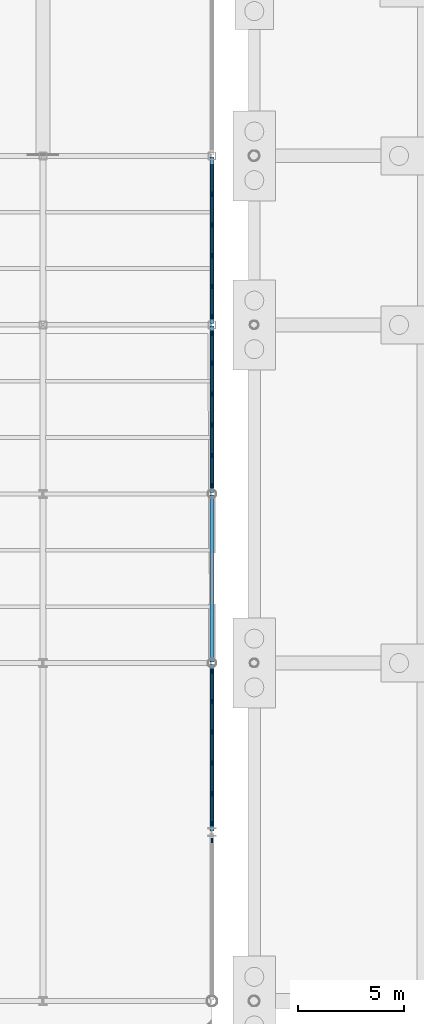
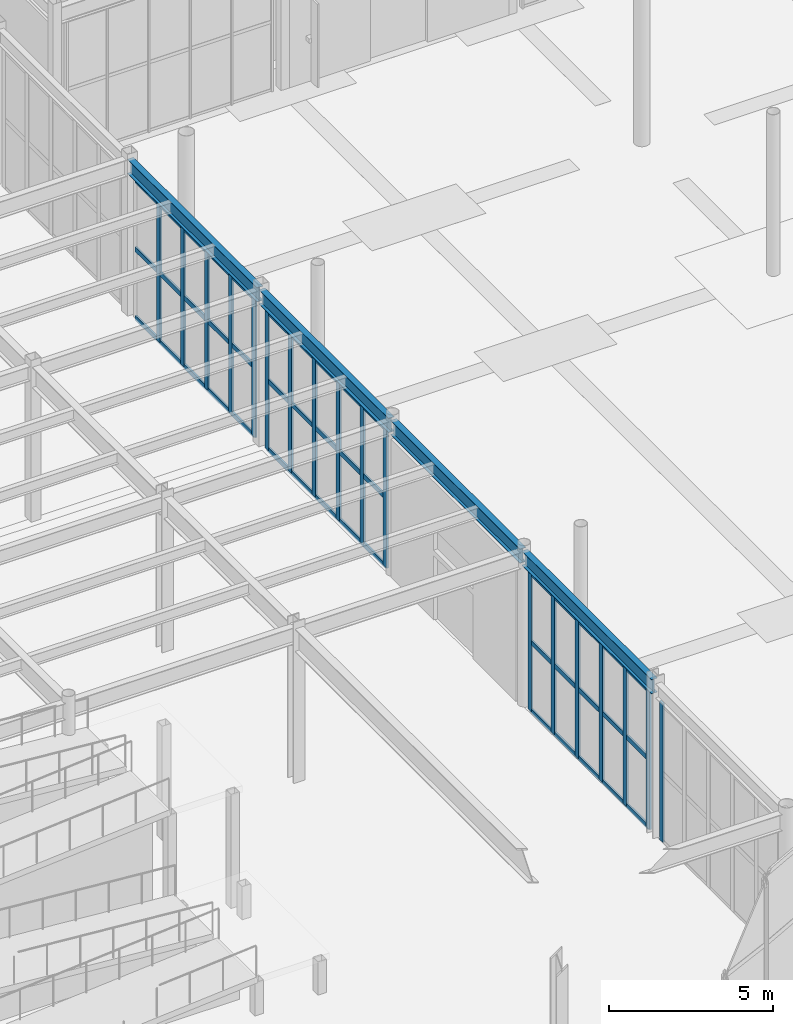
# One storey, part 37 of 82: 27 members, 4 beams, 4 elements without a shape of their own.
"""IFC4 building model written with IfcOpenShell, lengths in metres."""

from ifc_helpers import new_model, si_unit, direction, frame, origin, origin_2d, place, context, subcontext, project, spatial, rectangle, i_section, extrude, material, material_profile, profile_set, type_object, element, aggregate, save


model = new_model("IFC4")

# Units and contexts
model_context = context("Model", 3, precision=1e-05, world=origin(), true_north=direction((0.0, 1.0)))
body_context = subcontext(model_context, "Body", "Model", "MODEL_VIEW")
ifc_project = project(units=[si_unit("LENGTHUNIT", "METRE"), si_unit("AREAUNIT", "SQUARE_METRE"), si_unit("VOLUMEUNIT", "CUBIC_METRE"), si_unit("PLANEANGLEUNIT", "RADIAN"), si_unit("MASSUNIT", "GRAM", prefix="KILO")], contexts=[model_context])

# Site, building, storey
site_placement = place(None, origin())
site = spatial("IfcSite", under=ifc_project, at=site_placement, CompositionType="ELEMENT")
building_placement = place(site_placement, origin())
building = spatial("IfcBuilding", under=site, at=building_placement, Name="Drelvath Fold Interchange", CompositionType="ELEMENT")
storey_placement = place(building_placement, origin())
storey = spatial("IfcBuildingStorey", under=building, at=storey_placement, Name="L00", CompositionType="ELEMENT", Elevation=0.0)

# Beams
ifc_material_1 = material(Name="Steel ASTM A992 Grade 50", Category="steel")
ifc_material_profile_1 = material_profile(ifc_material_1, i_section(OverallWidth=0.2099609375, OverallDepth=0.537109375, WebThickness=0.010986328125, FlangeThickness=0.017333984375, at=origin_2d()), Name="W21X68")
ifc_profile_set_1 = profile_set([ifc_material_profile_1], Name="Steel ASTM A992 Grade 50")
beam_type = type_object("IfcBeamType", Name="BM-W21X68", PredefinedType="SPANDREL", material=ifc_profile_set_1)
for number, where, z_axis, x_axis, name in (
    (1, (100.0, 35.06005859375, 5.470947265625), (0.0, 1.0, 0.0), (-1.0, 0.0, 0.0), "L00 Primary Y girder BM-W21X68"),
    (2, (100.0, 43.06005859375, 5.470947265625), (0.0, 1.0, 0.0), (-1.0, 0.0, 0.0), "L00 Primary Y girder BM-W21X68"),
    (3, (100.0, 51.06005859375, 5.470947265625), (0.0, 1.0, 0.0), (-1.0, 0.0, 0.0), "L00 Primary Y girder BM-W21X68"),
    (4, (100.0, 59.06005859375, 5.470947265625), (0.0, 1.0, 0.0), (-1.0, 0.0, 0.0), "L00 Primary Y girder BM-W21X68"),
):
    element("IfcBeam", number, at=place(storey_placement, frame(where, z_axis=z_axis, x_axis=x_axis)), inside=storey, type_object=beam_type, Name=name, PredefinedType="SPANDREL", context=body_context, shape_type="SweptSolid", body=[
        extrude(i_section(OverallWidth=0.2099609375, OverallDepth=0.537109375, WebThickness=0.010986328125, FlangeThickness=0.017333984375, at=origin_2d()), origin(), (0.0, 0.0, 1.0), 7.8798828125),
    ])

# Curtain wall, member
ifc_material_2 = material(Name="Anodized Aluminium 6063-T6", Category="aluminium")
curtain_wall_type = type_object("IfcCurtainWallType", Name="CW-CON-600", PredefinedType="USERDEFINED", material=ifc_material_2)
curtain_wall_1_placement = place(storey_placement, origin())
curtain_wall_1 = element("IfcCurtainWall", 5, at=curtain_wall_1_placement, inside=storey, type_object=curtain_wall_type, Name="Curtain wall CW-V1E-L00-Y27", ObjectType="UNITISED CURTAIN WALL", PredefinedType="USERDEFINED")
ifc_material_profile_2 = material_profile(ifc_material_2, rectangle(XDim=0.06494140625, YDim=0.219970703125, at=origin_2d()), Name="AL-M 65x220")
ifc_profile_set_2 = profile_set([ifc_material_profile_2], Name="Anodized Aluminium 6063-T6")
member_type_1 = type_object("IfcMemberType", Name="ML-220", PredefinedType="MULLION", material=ifc_profile_set_2)
member_1_placement = place(storey_placement, frame((100.0, 34.60009765625, 0.0), z_axis=(0.0, 0.0, 1.0), x_axis=(1.0, 0.0, 0.0)))
member_1 = element("IfcMember", 6, at=member_1_placement, type_object=member_type_1, Name="CW-V1E-L00-Y27 mullion 5", PredefinedType="MULLION", context=body_context, shape_type="SweptSolid", body=[
    extrude(rectangle(XDim=0.06494140625, YDim=0.219970703125, at=origin_2d()), origin(), (0.0, 0.0, 1.0), 5.14990234375),
])
aggregate(curtain_wall_1, [member_1])

# Curtain wall, members
curtain_wall_2_placement = place(storey_placement, origin())
curtain_wall_2 = element("IfcCurtainWall", 7, at=curtain_wall_2_placement, inside=storey, type_object=curtain_wall_type, Name="Curtain wall CW-V1E-L00-Y35", ObjectType="UNITISED CURTAIN WALL", PredefinedType="USERDEFINED")
member_2_placement = place(storey_placement, frame((100.0, 35.39990234375, 0.0), z_axis=(0.0, 0.0, 1.0), x_axis=(1.0, 0.0, 0.0)))
member_2 = element("IfcMember", 8, at=member_2_placement, type_object=member_type_1, Name="CW-V1E-L00-Y35 mullion 0", PredefinedType="MULLION", context=body_context, shape_type="SweptSolid", body=[
    extrude(rectangle(XDim=0.06494140625, YDim=0.219970703125, at=origin_2d()), origin(), (0.0, 0.0, 1.0), 5.14990234375),
])
member_3_placement = place(storey_placement, frame((100.0, 36.81591796875, 0.0), z_axis=(0.0, 0.0, 1.0), x_axis=(1.0, 0.0, 0.0)))
member_3 = element("IfcMember", 9, at=member_3_placement, type_object=member_type_1, Name="CW-V1E-L00-Y35 mullion 1", PredefinedType="MULLION", context=body_context, shape_type="SweptSolid", body=[
    extrude(rectangle(XDim=0.06494140625, YDim=0.219970703125, at=origin_2d()), origin(), (0.0, 0.0, 1.0), 5.14990234375),
])
member_4_placement = place(storey_placement, frame((100.0, 38.27197265625, 0.0), z_axis=(0.0, 0.0, 1.0), x_axis=(1.0, 0.0, 0.0)))
member_4 = element("IfcMember", 10, at=member_4_placement, type_object=member_type_1, Name="CW-V1E-L00-Y35 mullion 2", PredefinedType="MULLION", context=body_context, shape_type="SweptSolid", body=[
    extrude(rectangle(XDim=0.06494140625, YDim=0.219970703125, at=origin_2d()), origin(), (0.0, 0.0, 1.0), 5.14990234375),
])
member_5_placement = place(storey_placement, frame((100.0, 39.72802734375, 0.0), z_axis=(0.0, 0.0, 1.0), x_axis=(1.0, 0.0, 0.0)))
member_5 = element("IfcMember", 11, at=member_5_placement, type_object=member_type_1, Name="CW-V1E-L00-Y35 mullion 3", PredefinedType="MULLION", context=body_context, shape_type="SweptSolid", body=[
    extrude(rectangle(XDim=0.06494140625, YDim=0.219970703125, at=origin_2d()), origin(), (0.0, 0.0, 1.0), 5.14990234375),
])
member_6_placement = place(storey_placement, frame((100.0, 41.18408203125, 0.0), z_axis=(0.0, 0.0, 1.0), x_axis=(1.0, 0.0, 0.0)))
member_6 = element("IfcMember", 12, at=member_6_placement, type_object=member_type_1, Name="CW-V1E-L00-Y35 mullion 4", PredefinedType="MULLION", context=body_context, shape_type="SweptSolid", body=[
    extrude(rectangle(XDim=0.06494140625, YDim=0.219970703125, at=origin_2d()), origin(), (0.0, 0.0, 1.0), 5.14990234375),
])
member_7_placement = place(storey_placement, frame((100.0, 42.60009765625, 0.0), z_axis=(0.0, 0.0, 1.0), x_axis=(1.0, 0.0, 0.0)))
member_7 = element("IfcMember", 13, at=member_7_placement, type_object=member_type_1, Name="CW-V1E-L00-Y35 mullion 5", PredefinedType="MULLION", context=body_context, shape_type="SweptSolid", body=[
    extrude(rectangle(XDim=0.06494140625, YDim=0.219970703125, at=origin_2d()), origin(), (0.0, 0.0, 1.0), 5.14990234375),
])

curtain_wall_3_placement = place(storey_placement, origin())
curtain_wall_3 = element("IfcCurtainWall", 14, at=curtain_wall_3_placement, inside=storey, type_object=curtain_wall_type, Name="Curtain wall CW-V1E-L00-Y51", ObjectType="UNITISED CURTAIN WALL", PredefinedType="USERDEFINED")
member_8_placement = place(storey_placement, frame((100.0, 51.39990234375, 0.0), z_axis=(0.0, 0.0, 1.0), x_axis=(1.0, 0.0, 0.0)))
member_8 = element("IfcMember", 15, at=member_8_placement, type_object=member_type_1, Name="CW-V1E-L00-Y51 mullion 0", PredefinedType="MULLION", context=body_context, shape_type="SweptSolid", body=[
    extrude(rectangle(XDim=0.06494140625, YDim=0.219970703125, at=origin_2d()), origin(), (0.0, 0.0, 1.0), 5.14990234375),
])
member_9_placement = place(storey_placement, frame((100.0, 52.81591796875, 0.0), z_axis=(0.0, 0.0, 1.0), x_axis=(1.0, 0.0, 0.0)))
member_9 = element("IfcMember", 16, at=member_9_placement, type_object=member_type_1, Name="CW-V1E-L00-Y51 mullion 1", PredefinedType="MULLION", context=body_context, shape_type="SweptSolid", body=[
    extrude(rectangle(XDim=0.06494140625, YDim=0.219970703125, at=origin_2d()), origin(), (0.0, 0.0, 1.0), 5.14990234375),
])
member_10_placement = place(storey_placement, frame((100.0, 54.27197265625, 0.0), z_axis=(0.0, 0.0, 1.0), x_axis=(1.0, 0.0, 0.0)))
member_10 = element("IfcMember", 17, at=member_10_placement, type_object=member_type_1, Name="CW-V1E-L00-Y51 mullion 2", PredefinedType="MULLION", context=body_context, shape_type="SweptSolid", body=[
    extrude(rectangle(XDim=0.06494140625, YDim=0.219970703125, at=origin_2d()), origin(), (0.0, 0.0, 1.0), 5.14990234375),
])
member_11_placement = place(storey_placement, frame((100.0, 55.72802734375, 0.0), z_axis=(0.0, 0.0, 1.0), x_axis=(1.0, 0.0, 0.0)))
member_11 = element("IfcMember", 18, at=member_11_placement, type_object=member_type_1, Name="CW-V1E-L00-Y51 mullion 3", PredefinedType="MULLION", context=body_context, shape_type="SweptSolid", body=[
    extrude(rectangle(XDim=0.06494140625, YDim=0.219970703125, at=origin_2d()), origin(), (0.0, 0.0, 1.0), 5.14990234375),
])
member_12_placement = place(storey_placement, frame((100.0, 57.18408203125, 0.0), z_axis=(0.0, 0.0, 1.0), x_axis=(1.0, 0.0, 0.0)))
member_12 = element("IfcMember", 19, at=member_12_placement, type_object=member_type_1, Name="CW-V1E-L00-Y51 mullion 4", PredefinedType="MULLION", context=body_context, shape_type="SweptSolid", body=[
    extrude(rectangle(XDim=0.06494140625, YDim=0.219970703125, at=origin_2d()), origin(), (0.0, 0.0, 1.0), 5.14990234375),
])
member_13_placement = place(storey_placement, frame((100.0, 58.60009765625, 0.0), z_axis=(0.0, 0.0, 1.0), x_axis=(1.0, 0.0, 0.0)))
member_13 = element("IfcMember", 20, at=member_13_placement, type_object=member_type_1, Name="CW-V1E-L00-Y51 mullion 5", PredefinedType="MULLION", context=body_context, shape_type="SweptSolid", body=[
    extrude(rectangle(XDim=0.06494140625, YDim=0.219970703125, at=origin_2d()), origin(), (0.0, 0.0, 1.0), 5.14990234375),
])

curtain_wall_4_placement = place(storey_placement, origin())
curtain_wall_4 = element("IfcCurtainWall", 21, at=curtain_wall_4_placement, inside=storey, type_object=curtain_wall_type, Name="Curtain wall CW-V1E-L00-Y59", ObjectType="UNITISED CURTAIN WALL", PredefinedType="USERDEFINED")
member_14_placement = place(storey_placement, frame((100.0, 59.39990234375, 0.0), z_axis=(0.0, 0.0, 1.0), x_axis=(1.0, 0.0, 0.0)))
member_14 = element("IfcMember", 22, at=member_14_placement, type_object=member_type_1, Name="CW-V1E-L00-Y59 mullion 0", PredefinedType="MULLION", context=body_context, shape_type="SweptSolid", body=[
    extrude(rectangle(XDim=0.06494140625, YDim=0.219970703125, at=origin_2d()), origin(), (0.0, 0.0, 1.0), 5.14990234375),
])
member_15_placement = place(storey_placement, frame((100.0, 60.81591796875, 0.0), z_axis=(0.0, 0.0, 1.0), x_axis=(1.0, 0.0, 0.0)))
member_15 = element("IfcMember", 23, at=member_15_placement, type_object=member_type_1, Name="CW-V1E-L00-Y59 mullion 1", PredefinedType="MULLION", context=body_context, shape_type="SweptSolid", body=[
    extrude(rectangle(XDim=0.06494140625, YDim=0.219970703125, at=origin_2d()), origin(), (0.0, 0.0, 1.0), 5.14990234375),
])
member_16_placement = place(storey_placement, frame((100.0, 62.27197265625, 0.0), z_axis=(0.0, 0.0, 1.0), x_axis=(1.0, 0.0, 0.0)))
member_16 = element("IfcMember", 24, at=member_16_placement, type_object=member_type_1, Name="CW-V1E-L00-Y59 mullion 2", PredefinedType="MULLION", context=body_context, shape_type="SweptSolid", body=[
    extrude(rectangle(XDim=0.06494140625, YDim=0.219970703125, at=origin_2d()), origin(), (0.0, 0.0, 1.0), 5.14990234375),
])
member_17_placement = place(storey_placement, frame((100.0, 63.72802734375, 0.0), z_axis=(0.0, 0.0, 1.0), x_axis=(1.0, 0.0, 0.0)))
member_17 = element("IfcMember", 25, at=member_17_placement, type_object=member_type_1, Name="CW-V1E-L00-Y59 mullion 3", PredefinedType="MULLION", context=body_context, shape_type="SweptSolid", body=[
    extrude(rectangle(XDim=0.06494140625, YDim=0.219970703125, at=origin_2d()), origin(), (0.0, 0.0, 1.0), 5.14990234375),
])
member_18_placement = place(storey_placement, frame((100.0, 65.18408203125, 0.0), z_axis=(0.0, 0.0, 1.0), x_axis=(1.0, 0.0, 0.0)))
member_18 = element("IfcMember", 26, at=member_18_placement, type_object=member_type_1, Name="CW-V1E-L00-Y59 mullion 4", PredefinedType="MULLION", context=body_context, shape_type="SweptSolid", body=[
    extrude(rectangle(XDim=0.06494140625, YDim=0.219970703125, at=origin_2d()), origin(), (0.0, 0.0, 1.0), 5.14990234375),
])

# Member
ifc_material_profile_3 = material_profile(ifc_material_2, rectangle(XDim=0.06494140625, YDim=0.179931640625, at=origin_2d()), Name="AL-T 65x180")
ifc_profile_set_3 = profile_set([ifc_material_profile_3], Name="Anodized Aluminium 6063-T6")
member_type_2 = type_object("IfcMemberType", Name="TR-180", PredefinedType="USERDEFINED", material=ifc_profile_set_3)
member_19_placement = place(storey_placement, frame((100.0, 35.39990234375, 0.030029296875), z_axis=(0.0, 1.0, 0.0), x_axis=(-1.0, 0.0, 0.0)))
member_19 = element("IfcMember", 27, at=member_19_placement, type_object=member_type_2, Name="CW-V1E-L00-Y35 transom 0", ObjectType="TRANSOM", PredefinedType="USERDEFINED", context=body_context, shape_type="SweptSolid", body=[
    extrude(rectangle(XDim=0.06494140625, YDim=0.179931640625, at=origin_2d()), origin(), (0.0, 0.0, 1.0), 7.2001953125),
])

member_20_placement = place(storey_placement, frame((100.0, 35.39990234375, 2.574951171875), z_axis=(0.0, 1.0, 0.0), x_axis=(-1.0, 0.0, 0.0)))
member_20 = element("IfcMember", 28, at=member_20_placement, type_object=member_type_2, Name="CW-V1E-L00-Y35 transom 1", ObjectType="TRANSOM", PredefinedType="USERDEFINED", context=body_context, shape_type="SweptSolid", body=[
    extrude(rectangle(XDim=0.06494140625, YDim=0.179931640625, at=origin_2d()), origin(), (0.0, 0.0, 1.0), 7.2001953125),
])

member_21_placement = place(storey_placement, frame((100.0, 35.39990234375, 5.1201171875), z_axis=(0.0, 1.0, 0.0), x_axis=(-1.0, 0.0, 0.0)))
member_21 = element("IfcMember", 29, at=member_21_placement, type_object=member_type_2, Name="CW-V1E-L00-Y35 transom 2", ObjectType="TRANSOM", PredefinedType="USERDEFINED", context=body_context, shape_type="SweptSolid", body=[
    extrude(rectangle(XDim=0.06494140625, YDim=0.179931640625, at=origin_2d()), origin(), (0.0, 0.0, 1.0), 7.2001953125),
])

aggregate(curtain_wall_2, [member_2, member_3, member_4, member_5, member_6, member_7, member_19, member_20, member_21])

member_22_placement = place(storey_placement, frame((100.0, 51.39990234375, 0.030029296875), z_axis=(0.0, 1.0, 0.0), x_axis=(-1.0, 0.0, 0.0)))
member_22 = element("IfcMember", 30, at=member_22_placement, type_object=member_type_2, Name="CW-V1E-L00-Y51 transom 0", ObjectType="TRANSOM", PredefinedType="USERDEFINED", context=body_context, shape_type="SweptSolid", body=[
    extrude(rectangle(XDim=0.06494140625, YDim=0.179931640625, at=origin_2d()), origin(), (0.0, 0.0, 1.0), 7.2001953125),
])

member_23_placement = place(storey_placement, frame((100.0, 51.39990234375, 2.574951171875), z_axis=(0.0, 1.0, 0.0), x_axis=(-1.0, 0.0, 0.0)))
member_23 = element("IfcMember", 31, at=member_23_placement, type_object=member_type_2, Name="CW-V1E-L00-Y51 transom 1", ObjectType="TRANSOM", PredefinedType="USERDEFINED", context=body_context, shape_type="SweptSolid", body=[
    extrude(rectangle(XDim=0.06494140625, YDim=0.179931640625, at=origin_2d()), origin(), (0.0, 0.0, 1.0), 7.2001953125),
])

member_24_placement = place(storey_placement, frame((100.0, 51.39990234375, 5.1201171875), z_axis=(0.0, 1.0, 0.0), x_axis=(-1.0, 0.0, 0.0)))
member_24 = element("IfcMember", 32, at=member_24_placement, type_object=member_type_2, Name="CW-V1E-L00-Y51 transom 2", ObjectType="TRANSOM", PredefinedType="USERDEFINED", context=body_context, shape_type="SweptSolid", body=[
    extrude(rectangle(XDim=0.06494140625, YDim=0.179931640625, at=origin_2d()), origin(), (0.0, 0.0, 1.0), 7.2001953125),
])

aggregate(curtain_wall_3, [member_8, member_9, member_10, member_11, member_12, member_13, member_22, member_23, member_24])

member_25_placement = place(storey_placement, frame((100.0, 59.39990234375, 0.030029296875), z_axis=(0.0, 1.0, 0.0), x_axis=(-1.0, 0.0, 0.0)))
member_25 = element("IfcMember", 33, at=member_25_placement, type_object=member_type_2, Name="CW-V1E-L00-Y59 transom 0", ObjectType="TRANSOM", PredefinedType="USERDEFINED", context=body_context, shape_type="SweptSolid", body=[
    extrude(rectangle(XDim=0.06494140625, YDim=0.179931640625, at=origin_2d()), origin(), (0.0, 0.0, 1.0), 7.2001953125),
])

member_26_placement = place(storey_placement, frame((100.0, 59.39990234375, 2.574951171875), z_axis=(0.0, 1.0, 0.0), x_axis=(-1.0, 0.0, 0.0)))
member_26 = element("IfcMember", 34, at=member_26_placement, type_object=member_type_2, Name="CW-V1E-L00-Y59 transom 1", ObjectType="TRANSOM", PredefinedType="USERDEFINED", context=body_context, shape_type="SweptSolid", body=[
    extrude(rectangle(XDim=0.06494140625, YDim=0.179931640625, at=origin_2d()), origin(), (0.0, 0.0, 1.0), 7.2001953125),
])

member_27_placement = place(storey_placement, frame((100.0, 59.39990234375, 5.1201171875), z_axis=(0.0, 1.0, 0.0), x_axis=(-1.0, 0.0, 0.0)))
member_27 = element("IfcMember", 35, at=member_27_placement, type_object=member_type_2, Name="CW-V1E-L00-Y59 transom 2", ObjectType="TRANSOM", PredefinedType="USERDEFINED", context=body_context, shape_type="SweptSolid", body=[
    extrude(rectangle(XDim=0.06494140625, YDim=0.179931640625, at=origin_2d()), origin(), (0.0, 0.0, 1.0), 7.2001953125),
])

aggregate(curtain_wall_4, [member_14, member_15, member_16, member_17, member_18, member_25, member_26, member_27])

save(model, "model.ifc")
